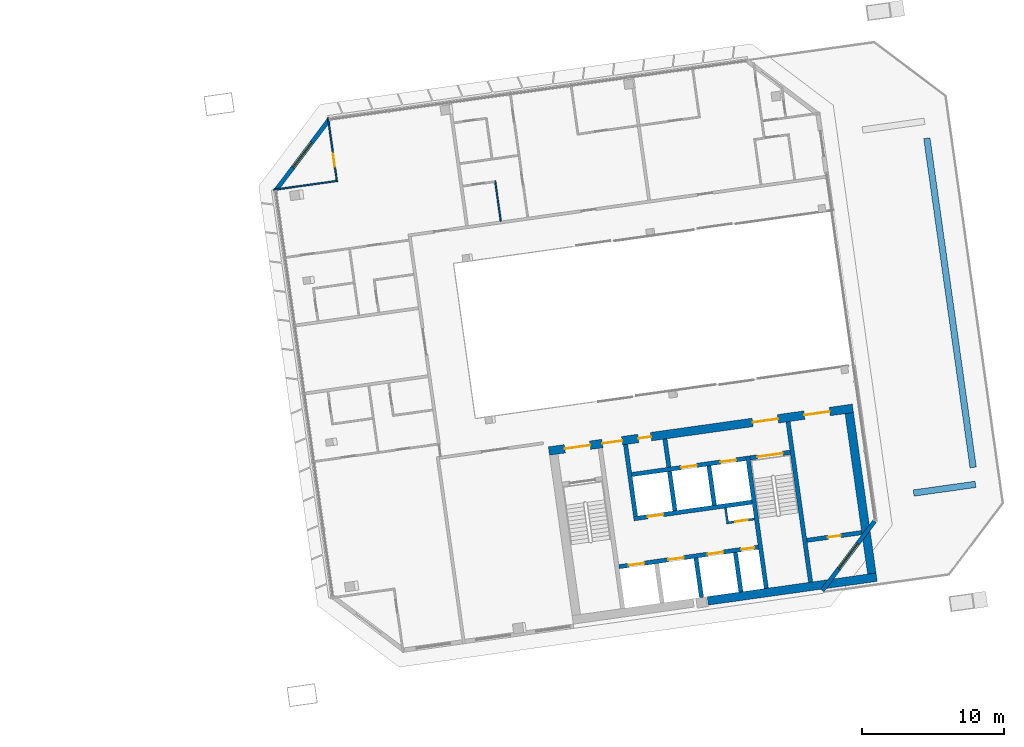
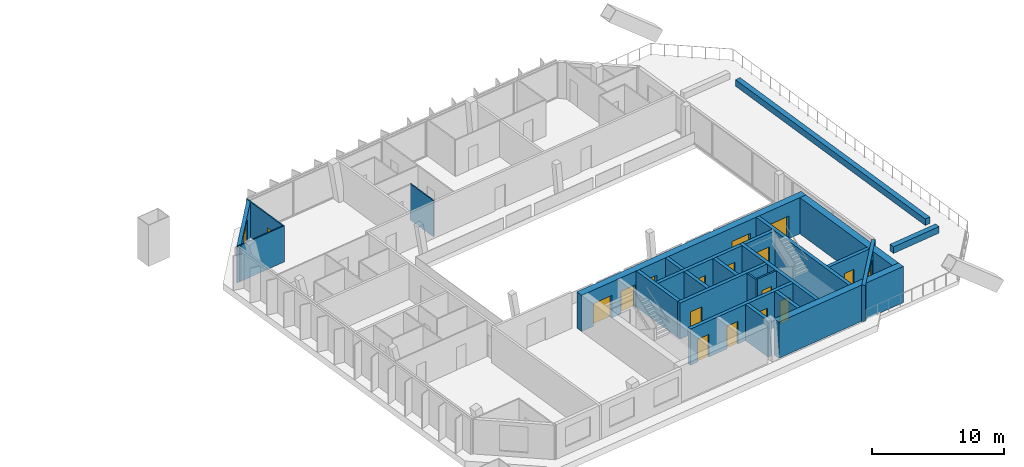
# One storey, part 13 of 17: 25 walls, 16 doors, 2 windows, 18 openings.
"""IFC4 building model written with IfcOpenShell, lengths in metres."""

from ifc_helpers import new_model, si_unit, direction, frame, frame_2d, origin, place, context, subcontext, project, spatial, rectangle, extrude, material, layer, layer_set, type_object, element, fill, save


model = new_model("IFC4")

# Units and contexts
model_context = context("Model", 3, precision=1e-05, world=origin(), true_north=direction((0.0, 1.0)))
body_context = subcontext(model_context, "Body", "Model", "MODEL_VIEW")
ifc_project = project(units=[si_unit("LENGTHUNIT", "METRE"), si_unit("AREAUNIT", "SQUARE_METRE"), si_unit("VOLUMEUNIT", "CUBIC_METRE"), si_unit("PLANEANGLEUNIT", "RADIAN"), si_unit("MASSUNIT", "GRAM", prefix="KILO")], contexts=[model_context])

# Site, building, storey
site_placement = place(None, origin())
site = spatial("IfcSite", under=ifc_project, at=site_placement, CompositionType="ELEMENT")
building_placement = place(site_placement, origin())
building = spatial("IfcBuilding", under=site, at=building_placement, Name="Mirante Cascada Hotel Towers", CompositionType="ELEMENT")
storey_placement = place(building_placement, frame((0.0, 0.0, 250.8)))
storey = spatial("IfcBuildingStorey", under=building, at=storey_placement, Name="L60", CompositionType="ELEMENT", Elevation=250.8)

# Wall
ifc_material_1 = material(Name="Masonry block", Category="masonry")
ifc_layer_1 = layer(ifc_material_1, 0.15)
ifc_layer_set_1 = layer_set([ifc_layer_1], Name="Core room partition 150 block EI 30")
wall_type_1 = type_object("IfcWallType", Name="Core room partition 150 block EI 30", PredefinedType="PARTITIONING", material=ifc_layer_set_1)
wall_1_placement = place(storey_placement, frame((48.2295, -12.793, 0.0), z_axis=(0.0, 0.0, 1.0), x_axis=(-0.1391935, 0.9902652, 0.0)))
element("IfcWall", 1, at=wall_1_placement, inside=storey, type_object=wall_type_1, Name="Core wall partition T2 L60 2", PredefinedType="PARTITIONING", context=body_context, shape_type="SweptSolid", body=[
    extrude(rectangle(XDim=1.1251, YDim=0.15, at=frame_2d((0.5626, 0.0))), origin(), (0.0, 0.0, 1.0), 3.35),
])

# Wall, opening, door
wall_2_placement = place(storey_placement, frame((48.2933, -12.7083, 0.0), z_axis=(0.0, 0.0, 1.0), x_axis=(0.990268, 0.1391734, 0.0)))
wall_2 = element("IfcWall", 2, at=wall_2_placement, inside=storey, type_object=wall_type_1, Name="Core wall partition T2 L60 3", PredefinedType="PARTITIONING", context=body_context, shape_type="SweptSolid", body=[
    extrude(rectangle(XDim=1.8251, YDim=0.15, at=frame_2d((0.9126, 0.0))), origin(), (0.0, 0.0, 1.0), 3.35),
])
opening_1_placement = place(wall_2_placement, frame((0.4625, 0.0, 0.0)))
opening_1 = element("IfcOpeningElement", 3, at=opening_1_placement, cuts=wall_2, Name="Opening D2-60-C14", PredefinedType="OPENING", context=body_context, shape_type="SweptSolid", body=[
    extrude(rectangle(XDim=0.9, YDim=2.1, at=frame_2d((0.45, 1.05))), frame((0.0, 0.075, 0.0), z_axis=(0.0, -1.0, 0.0), x_axis=(1.0, 0.0, 0.0)), (0.0, 0.0, 1.0), 0.15),
])
ifc_material_2 = material(Name="Hollow metal fire door leaf")
door_type_1 = type_object("IfcDoorType", Name="Fire door 900x2100 FD60", OperationType="NOTDEFINED", PredefinedType="DOOR", material=ifc_material_2)
door_1_placement = place(opening_1_placement, frame((0.9, 0.0, 0.0), z_axis=(0.0, 0.0, 1.0), x_axis=(-1.0, 0.0, 0.0)))
door_1 = element("IfcDoor", 4, at=door_1_placement, inside=storey, type_object=door_type_1, Name="Riser door T2 L60 14", OperationType="SINGLE_SWING_LEFT", OverallHeight=2.1, OverallWidth=0.9, PredefinedType="DOOR", context=body_context, shape_type="SweptSolid", body=[
    extrude(rectangle(XDim=0.9, YDim=2.1, at=frame_2d((0.45, 1.05))), frame((0.0, 0.025, 0.0), z_axis=(0.0, -1.0, 0.0), x_axis=(1.0, 0.0, 0.0)), (0.0, 0.0, 1.0), 0.05),
])
fill(opening_1, door_1)

# Wall
ifc_material_3 = material(Name="Masonry block", Category="masonry")
ifc_layer_2 = layer(ifc_material_3, 0.3)
ifc_layer_set_2 = layer_set([ifc_layer_2], Name="Core wall 300 block EI 120")
wall_type_2 = type_object("IfcWallType", Name="Core wall 300 block EI 120", PredefinedType="PARTITIONING", material=ifc_layer_set_2)
wall_3_placement = place(storey_placement, frame((44.0843, -8.8061, 0.0), z_axis=(0.0, 0.0, 1.0), x_axis=(-0.1391951, 0.990265, 0.0)))
element("IfcWall", 5, at=wall_3_placement, inside=storey, type_object=wall_type_2, Name="Core wall partition T2 L60 1", PredefinedType="PARTITIONING", context=body_context, shape_type="SweptSolid", body=[
    extrude(rectangle(XDim=2.0001, YDim=0.3, at=frame_2d((1.0001, 0.0))), origin(), (0.0, 0.0, 1.0), 3.35),
])

# Wall, opening, door
wall_4_placement = place(storey_placement, frame((53.7953, -13.9547, 0.0), z_axis=(0.0, 0.0, 1.0), x_axis=(0.9902675, 0.1391774, 0.0)))
wall_4 = element("IfcWall", 6, at=wall_4_placement, inside=storey, type_object=wall_type_2, Name="Core wall partition T2 L60 4", PredefinedType="PARTITIONING", context=body_context, shape_type="SweptSolid", body=[
    extrude(rectangle(XDim=3.9001, YDim=0.3, at=frame_2d((1.95, 0.0))), origin(), (0.0, 0.0, 1.0), 3.35),
])
opening_2_placement = place(wall_4_placement, frame((1.5, 0.0, 0.0)))
opening_2 = element("IfcOpeningElement", 7, at=opening_2_placement, cuts=wall_4, Name="Opening D2-60-C16", PredefinedType="OPENING", context=body_context, shape_type="SweptSolid", body=[
    extrude(rectangle(XDim=0.9, YDim=2.1, at=frame_2d((0.45, 1.05))), frame((0.0, 0.15, 0.0), z_axis=(0.0, -1.0, 0.0), x_axis=(1.0, 0.0, 0.0)), (0.0, 0.0, 1.0), 0.3),
])
door_2_placement = place(opening_2_placement, frame((0.9, 0.0, 0.0), z_axis=(0.0, 0.0, 1.0), x_axis=(-1.0, 0.0, 0.0)))
door_2 = element("IfcDoor", 8, at=door_2_placement, inside=storey, type_object=door_type_1, Name="Room door T2 L60 16", OperationType="SINGLE_SWING_LEFT", OverallHeight=2.1, OverallWidth=0.9, PredefinedType="DOOR", context=body_context, shape_type="SweptSolid", body=[
    extrude(rectangle(XDim=0.9, YDim=2.1, at=frame_2d((0.45, 1.05))), frame((0.0, 0.025, 0.0), z_axis=(0.0, -1.0, 0.0), x_axis=(1.0, 0.0, 0.0)), (0.0, 0.0, 1.0), 0.05),
])
fill(opening_2, door_2)

# Wall
ifc_material_4 = material(Name="Plasterboard on metal studs")
ifc_layer_3 = layer(ifc_material_4, 0.1)
ifc_layer_set_3 = layer_set([ifc_layer_3], Name="Partition 100")
wall_type_3 = type_object("IfcWallType", Name="Partition 100", PredefinedType="PARTITIONING", material=ifc_layer_set_3)
wall_5_placement = place(storey_placement, frame((20.767, 11.3449, 0.0), z_axis=(0.0, 0.0, 1.0), x_axis=(-0.9902661, -0.1391871, 0.0)))
element("IfcWall", 9, at=wall_5_placement, inside=storey, type_object=wall_type_3, Name="Wall 2-L60-14", PredefinedType="PARTITIONING", context=body_context, shape_type="SweptSolid", body=[
    extrude(rectangle(XDim=4.55, YDim=0.1, at=frame_2d((2.275, 0.0))), origin(), (0.0, 0.0, 1.0), 3.35),
])

# Wall, opening, door
wall_6_placement = place(storey_placement, frame((20.0912, 15.7941, 0.0), z_axis=(0.0, 0.0, 1.0), x_axis=(0.1391684, -0.9902687, 0.0)))
wall_6 = element("IfcWall", 10, at=wall_6_placement, inside=storey, type_object=wall_type_3, Name="Wall 2-L60-22", PredefinedType="PARTITIONING", context=body_context, shape_type="SweptSolid", body=[
    extrude(rectangle(XDim=4.45, YDim=0.1, at=frame_2d((2.225, 0.0))), origin(), (0.0, 0.0, 1.0), 3.35),
])
opening_3_placement = place(wall_6_placement, frame((2.5833, 0.0, 0.0)))
opening_3 = element("IfcOpeningElement", 11, at=opening_3_placement, cuts=wall_6, Name="Opening D2-L60-18", PredefinedType="OPENING", context=body_context, shape_type="SweptSolid", body=[
    extrude(rectangle(XDim=0.9, YDim=2.1, at=frame_2d((0.45, 1.05))), frame((0.0, 0.05, 0.0), z_axis=(0.0, -1.0, 0.0), x_axis=(1.0, 0.0, 0.0)), (0.0, 0.0, 1.0), 0.1),
])
ifc_material_5 = material(Name="Timber door leaf", Category="wood")
door_type_2 = type_object("IfcDoorType", Name="Room door DG3 900x2100", OperationType="SINGLE_SWING_LEFT", PredefinedType="DOOR", material=ifc_material_5)
door_3_placement = place(opening_3_placement, origin())
door_3 = element("IfcDoor", 12, at=door_3_placement, inside=storey, type_object=door_type_2, Name="Door D2-L60-18", OperationType="SINGLE_SWING_LEFT", OverallHeight=2.1, OverallWidth=0.9, PredefinedType="DOOR", context=body_context, shape_type="SweptSolid", body=[
    extrude(rectangle(XDim=0.9, YDim=2.1, at=frame_2d((0.45, 1.05))), frame((0.0, 0.025, 0.0), z_axis=(0.0, -1.0, 0.0), x_axis=(1.0, 0.0, 0.0)), (0.0, 0.0, 1.0), 0.05),
])
fill(opening_3, door_3)

# Walls
wall_7_placement = place(storey_placement, frame((31.8561, 11.3381, 0.0), z_axis=(0.0, 0.0, 1.0), x_axis=(0.1391613, -0.9902697, 0.0)))
element("IfcWall", 13, at=wall_7_placement, inside=storey, type_object=wall_type_3, Name="Wall 2-L60-30", PredefinedType="PARTITIONING", context=body_context, shape_type="SweptSolid", body=[
    extrude(rectangle(XDim=2.8499, YDim=0.1, at=frame_2d((1.425, 0.0))), origin(), (0.0, 0.0, 1.0), 3.35),
])
ifc_material_6 = material(Name="Precast concrete C40/50", Category="concrete")
ifc_layer_4 = layer(ifc_material_6, 0.45)
ifc_layer_set_4 = layer_set([ifc_layer_4], Name="Planter wall 450 concrete C40/50")
wall_type_4 = type_object("IfcWallType", Name="Planter wall 450 concrete C40/50", PredefinedType="PARAPET", material=ifc_layer_set_4)
wall_8_placement = place(storey_placement, frame((61.3053, -10.6271, 0.0), z_axis=(0.0, 0.0, 1.0), x_axis=(0.990267, 0.139181, 0.0)))
element("IfcWall", 14, at=wall_8_placement, inside=storey, type_object=wall_type_4, Name="PLANTER T2 L60 bed 1", PredefinedType="PARAPET", context=body_context, shape_type="SweptSolid", body=[
    extrude(rectangle(XDim=4.4, YDim=0.45, at=frame_2d((2.2, 0.0))), origin(), (0.0, 0.0, 1.0), 0.6),
])
wall_9_placement = place(storey_placement, frame((65.4955, -8.8264, 0.0), z_axis=(0.0, 0.0, 1.0), x_axis=(-0.139175, 0.9902678, 0.0)))
element("IfcWall", 15, at=wall_9_placement, inside=storey, type_object=wall_type_4, Name="PLANTER T2 L60 bed 3", PredefinedType="PARAPET", context=body_context, shape_type="SweptSolid", body=[
    extrude(rectangle(XDim=23.4, YDim=0.45, at=frame_2d((11.7, 0.0))), origin(), (0.0, 0.0, 1.0), 0.6),
])

# Wall, opening, window
ifc_material_7 = material(Name="Precast concrete C40/50", Category="concrete")
ifc_layer_5 = layer(ifc_material_7, 0.3)
ifc_layer_set_5 = layer_set([ifc_layer_5], Name="Precast concrete C40/50 cladding wall 300")
wall_type_5 = type_object("IfcWallType", Name="Precast concrete C40/50 cladding wall 300", PredefinedType="STANDARD", material=ifc_layer_set_5)
wall_10_placement = place(storey_placement, frame((54.8802, -17.4943, 0.0), z_axis=(0.0, 0.0, 1.0), x_axis=(0.6018141, 0.7986362, 0.0)))
wall_10 = element("IfcWall", 16, at=wall_10_placement, inside=storey, type_object=wall_type_5, Name="Corner cladding wall T2 L60 rear outer", PredefinedType="STANDARD", context=body_context, shape_type="SweptSolid", body=[
    extrude(rectangle(XDim=6.1157, YDim=0.3, at=frame_2d((3.0578, 0.0))), origin(), (0.0, 0.0, 1.0), 3.35),
])
opening_4_placement = place(wall_10_placement, frame((1.9428, 0.0, 0.6)))
opening_4 = element("IfcOpeningElement", 17, at=opening_4_placement, cuts=wall_10, Name="Opening W2-60-04", PredefinedType="OPENING", context=body_context, shape_type="SweptSolid", body=[
    extrude(rectangle(XDim=2.2, YDim=2.4, at=frame_2d((1.1, 1.2))), frame((0.0, 0.15, 0.0), z_axis=(0.0, -1.0, 0.0), x_axis=(1.0, 0.0, 0.0)), (0.0, 0.0, 1.0), 0.3),
])
ifc_material_8 = material(Name="Aluminium frame with clear double glazing", Category="aluminium")
window_type = type_object("IfcWindowType", Name="Corner suite window 2200x2400", PartitioningType="DOUBLE_PANEL_VERTICAL", PredefinedType="WINDOW", material=ifc_material_8)
window_1_placement = place(opening_4_placement, origin())
window_1 = element("IfcWindow", 18, at=window_1_placement, inside=storey, type_object=window_type, Name="Window W2-60-04", OverallHeight=2.4, OverallWidth=2.2, PartitioningType="SINGLE_PANEL", PredefinedType="WINDOW", context=body_context, shape_type="SweptSolid", body=[
    extrude(rectangle(XDim=2.2, YDim=2.4, at=frame_2d((1.1, 1.2))), frame((0.0, 0.03, 0.0), z_axis=(0.0, -1.0, 0.0), x_axis=(1.0, 0.0, 0.0)), (0.0, 0.0, 1.0), 0.06),
])
fill(opening_4, window_1)

wall_11_placement = place(storey_placement, frame((20.1362, 15.6047, 0.0), z_axis=(0.0, 0.0, 1.0), x_axis=(-0.6018141, -0.7986362, 0.0)))
wall_11 = element("IfcWall", 19, at=wall_11_placement, inside=storey, type_object=wall_type_5, Name="Corner cladding wall T2 L60 front inner", PredefinedType="STANDARD", context=body_context, shape_type="SweptSolid", body=[
    extrude(rectangle(XDim=6.1157, YDim=0.3, at=frame_2d((3.0578, 0.0))), origin(), (0.0, 0.0, 1.0), 3.35),
])
opening_5_placement = place(wall_11_placement, frame((1.9578, 0.0, 0.6)))
opening_5 = element("IfcOpeningElement", 20, at=opening_5_placement, cuts=wall_11, Name="Opening W2-60-06", PredefinedType="OPENING", context=body_context, shape_type="SweptSolid", body=[
    extrude(rectangle(XDim=2.2, YDim=2.4, at=frame_2d((1.1, 1.2))), frame((0.0, 0.15, 0.0), z_axis=(0.0, -1.0, 0.0), x_axis=(1.0, 0.0, 0.0)), (0.0, 0.0, 1.0), 0.3),
])
window_2_placement = place(opening_5_placement, origin())
window_2 = element("IfcWindow", 21, at=window_2_placement, inside=storey, type_object=window_type, Name="Window W2-60-06", OverallHeight=2.4, OverallWidth=2.2, PartitioningType="SINGLE_PANEL", PredefinedType="WINDOW", context=body_context, shape_type="SweptSolid", body=[
    extrude(rectangle(XDim=2.2, YDim=2.4, at=frame_2d((1.1, 1.2))), frame((0.0, 0.03, 0.0), z_axis=(0.0, -1.0, 0.0), x_axis=(1.0, 0.0, 0.0)), (0.0, 0.0, 1.0), 0.06),
])
fill(opening_5, window_2)

# Walls
ifc_material_9 = material(Name="Concrete C50/60", Category="concrete")
ifc_layer_6 = layer(ifc_material_9, 0.3)
ifc_layer_set_6 = layer_set([ifc_layer_6], Name="RC core wall 300 C50/60")
wall_type_6 = type_object("IfcWallType", Name="RC core wall 300 C50/60", PredefinedType="SHEAR", material=ifc_layer_set_6)
wall_12_placement = place(storey_placement, frame((50.938, -17.3352, 0.0), z_axis=(0.0, 0.0, 1.0), x_axis=(-0.1391706, 0.9902684, 0.0)))
element("IfcWall", 22, at=wall_12_placement, inside=storey, type_object=wall_type_6, Name="Core wall T2:L60:6", PredefinedType="SHEAR", context=body_context, shape_type="SweptSolid", body=[
    extrude(rectangle(XDim=9.4, YDim=0.3, at=frame_2d((4.7, 0.0))), origin(), (0.0, 0.0, 1.0), 3.35),
])
wall_13_placement = place(storey_placement, frame((54.0574, -16.8968, 0.0), z_axis=(0.0, 0.0, 1.0), x_axis=(-0.1391761, 0.9902677, 0.0)))
element("IfcWall", 23, at=wall_13_placement, inside=storey, type_object=wall_type_6, Name="Core wall T2:L60:7", PredefinedType="SHEAR", context=body_context, shape_type="SweptSolid", body=[
    extrude(rectangle(XDim=11.3999, YDim=0.3, at=frame_2d((5.7, 0.0))), origin(), (0.0, 0.0, 1.0), 3.35),
])

# Wall, opening, door
wall_14_placement = place(storey_placement, frame((49.7992, -8.1544, 0.0), z_axis=(0.0, 0.0, 1.0), x_axis=(0.9902656, 0.1391909, 0.0)))
wall_14 = element("IfcWall", 24, at=wall_14_placement, inside=storey, type_object=wall_type_6, Name="Core wall T2:L60:9", PredefinedType="SHEAR", context=body_context, shape_type="SweptSolid", body=[
    extrude(rectangle(XDim=2.85, YDim=0.3, at=frame_2d((1.425, 0.0))), origin(), (0.0, 0.0, 1.0), 3.35),
])
opening_6_placement = place(wall_14_placement, frame((0.525, 0.0, 0.0)))
opening_6 = element("IfcOpeningElement", 25, at=opening_6_placement, cuts=wall_14, Name="Opening D2-60-C09", PredefinedType="OPENING", context=body_context, shape_type="SweptSolid", body=[
    extrude(rectangle(XDim=1.8, YDim=2.1, at=frame_2d((0.9, 1.05))), frame((0.0, 0.15, 0.0), z_axis=(0.0, -1.0, 0.0), x_axis=(1.0, 0.0, 0.0)), (0.0, 0.0, 1.0), 0.3),
])
ifc_material_10 = material(Name="Hollow metal fire door leaf")
door_type_3 = type_object("IfcDoorType", Name="Double fire door 1800x2100 FD60", OperationType="DOUBLE_DOOR_SINGLE_SWING", PredefinedType="DOOR", material=ifc_material_10)
door_4_placement = place(opening_6_placement, frame((1.8, 0.0, 0.0), z_axis=(0.0, 0.0, 1.0), x_axis=(-1.0, 0.0, 0.0)))
door_4 = element("IfcDoor", 26, at=door_4_placement, inside=storey, type_object=door_type_3, Name="Stair door T2 L60 9", OperationType="DOUBLE_DOOR_SINGLE_SWING", OverallHeight=2.1, OverallWidth=1.8, PredefinedType="DOOR", context=body_context, shape_type="SweptSolid", body=[
    extrude(rectangle(XDim=0.895, YDim=2.1, at=frame_2d((0.4475, 1.05))), frame((0.0, 0.025, 0.0), z_axis=(0.0, -1.0, 0.0), x_axis=(1.0, 0.0, 0.0)), (0.0, 0.0, 1.0), 0.05),
    extrude(rectangle(XDim=0.895, YDim=2.1, at=frame_2d((1.3525, 1.05))), frame((0.0, 0.025, 0.0), z_axis=(0.0, -1.0, 0.0), x_axis=(1.0, 0.0, 0.0)), (0.0, 0.0, 1.0), 0.05),
])
fill(opening_6, door_4)

# Wall, openings, doors
wall_15_placement = place(storey_placement, frame((40.5753, -15.8126, 0.0), z_axis=(0.0, 0.0, 1.0), x_axis=(0.9902682, 0.1391725, 0.0)))
wall_15 = element("IfcWall", 27, at=wall_15_placement, inside=storey, type_object=wall_type_6, Name="Core wall T2:L60:10", PredefinedType="SHEAR", context=body_context, shape_type="SweptSolid", body=[
    extrude(rectangle(XDim=9.8999, YDim=0.3, at=frame_2d((4.95, 0.0))), origin(), (0.0, 0.0, 1.0), 3.35),
])
opening_7_placement = place(wall_15_placement, frame((0.7, 0.0, 0.0)))
opening_7 = element("IfcOpeningElement", 28, at=opening_7_placement, cuts=wall_15, Name="Opening LD", PredefinedType="OPENING", context=body_context, shape_type="SweptSolid", body=[
    extrude(rectangle(XDim=1.1, YDim=2.1, at=frame_2d((0.55, 1.05))), frame((0.0, 0.15, 0.0), z_axis=(0.0, -1.0, 0.0), x_axis=(1.0, 0.0, 0.0)), (0.0, 0.0, 1.0), 0.3),
])
opening_8_placement = place(wall_15_placement, frame((3.5, 0.0, 0.0)))
opening_8 = element("IfcOpeningElement", 29, at=opening_8_placement, cuts=wall_15, Name="Opening LD", PredefinedType="OPENING", context=body_context, shape_type="SweptSolid", body=[
    extrude(rectangle(XDim=1.1, YDim=2.1, at=frame_2d((0.55, 1.05))), frame((0.0, 0.15, 0.0), z_axis=(0.0, -1.0, 0.0), x_axis=(1.0, 0.0, 0.0)), (0.0, 0.0, 1.0), 0.3),
])
opening_9_placement = place(wall_15_placement, frame((6.3, 0.0, 0.0)))
opening_9 = element("IfcOpeningElement", 30, at=opening_9_placement, cuts=wall_15, Name="Opening LD", PredefinedType="OPENING", context=body_context, shape_type="SweptSolid", body=[
    extrude(rectangle(XDim=1.1, YDim=2.1, at=frame_2d((0.55, 1.05))), frame((0.0, 0.15, 0.0), z_axis=(0.0, -1.0, 0.0), x_axis=(1.0, 0.0, 0.0)), (0.0, 0.0, 1.0), 0.3),
])
opening_10_placement = place(wall_15_placement, frame((8.7, 0.0, 0.0)))
opening_10 = element("IfcOpeningElement", 31, at=opening_10_placement, cuts=wall_15, Name="Opening D2-60-C13", PredefinedType="OPENING", context=body_context, shape_type="SweptSolid", body=[
    extrude(rectangle(XDim=0.9, YDim=2.1, at=frame_2d((0.45, 1.05))), frame((0.0, 0.15, 0.0), z_axis=(0.0, -1.0, 0.0), x_axis=(1.0, 0.0, 0.0)), (0.0, 0.0, 1.0), 0.3),
])
door_5_placement = place(opening_10_placement, frame((0.9, 0.0, 0.0), z_axis=(0.0, 0.0, 1.0), x_axis=(-1.0, 0.0, 0.0)))
door_5 = element("IfcDoor", 32, at=door_5_placement, inside=storey, type_object=door_type_1, Name="Riser door T2 L60 13", OperationType="SINGLE_SWING_RIGHT", OverallHeight=2.1, OverallWidth=0.9, PredefinedType="DOOR", context=body_context, shape_type="SweptSolid", body=[
    extrude(rectangle(XDim=0.9, YDim=2.1, at=frame_2d((0.45, 1.05))), frame((0.0, 0.025, 0.0), z_axis=(0.0, -1.0, 0.0), x_axis=(1.0, 0.0, 0.0)), (0.0, 0.0, 1.0), 0.05),
])
fill(opening_10, door_5)
ifc_material_11 = material(Name="Stainless steel", Category="steel")
door_type_4 = type_object("IfcDoorType", Name="Lift landing door 1100x2100 EI 120", OperationType="DOUBLE_DOOR_SLIDING", PredefinedType="DOOR", material=ifc_material_11)
door_6_placement = place(opening_7_placement, origin())
door_6 = element("IfcDoor", 33, at=door_6_placement, inside=storey, type_object=door_type_4, Name="Lift landing door HR2-1 L60", OperationType="DOUBLE_DOOR_SLIDING", OverallHeight=2.1, OverallWidth=1.1, PredefinedType="DOOR", context=body_context, shape_type="SweptSolid", body=[
    extrude(rectangle(XDim=0.545, YDim=2.1, at=frame_2d((0.2725, 1.05))), frame((0.0, 0.025, 0.0), z_axis=(0.0, -1.0, 0.0), x_axis=(1.0, 0.0, 0.0)), (0.0, 0.0, 1.0), 0.05),
    extrude(rectangle(XDim=0.545, YDim=2.1, at=frame_2d((0.8275, 1.05))), frame((0.0, 0.025, 0.0), z_axis=(0.0, -1.0, 0.0), x_axis=(1.0, 0.0, 0.0)), (0.0, 0.0, 1.0), 0.05),
])
fill(opening_7, door_6)
door_7_placement = place(opening_8_placement, origin())
door_7 = element("IfcDoor", 34, at=door_7_placement, inside=storey, type_object=door_type_4, Name="Lift landing door HR2-2 L60", OperationType="DOUBLE_DOOR_SLIDING", OverallHeight=2.1, OverallWidth=1.1, PredefinedType="DOOR", context=body_context, shape_type="SweptSolid", body=[
    extrude(rectangle(XDim=0.545, YDim=2.1, at=frame_2d((0.2725, 1.05))), frame((0.0, 0.025, 0.0), z_axis=(0.0, -1.0, 0.0), x_axis=(1.0, 0.0, 0.0)), (0.0, 0.0, 1.0), 0.05),
    extrude(rectangle(XDim=0.545, YDim=2.1, at=frame_2d((0.8275, 1.05))), frame((0.0, 0.025, 0.0), z_axis=(0.0, -1.0, 0.0), x_axis=(1.0, 0.0, 0.0)), (0.0, 0.0, 1.0), 0.05),
])
fill(opening_8, door_7)
door_8_placement = place(opening_9_placement, origin())
door_8 = element("IfcDoor", 35, at=door_8_placement, inside=storey, type_object=door_type_4, Name="Lift landing door HR2-3 L60", OperationType="DOUBLE_DOOR_SLIDING", OverallHeight=2.1, OverallWidth=1.1, PredefinedType="DOOR", context=body_context, shape_type="SweptSolid", body=[
    extrude(rectangle(XDim=0.545, YDim=2.1, at=frame_2d((0.2725, 1.05))), frame((0.0, 0.025, 0.0), z_axis=(0.0, -1.0, 0.0), x_axis=(1.0, 0.0, 0.0)), (0.0, 0.0, 1.0), 0.05),
    extrude(rectangle(XDim=0.545, YDim=2.1, at=frame_2d((0.8275, 1.05))), frame((0.0, 0.025, 0.0), z_axis=(0.0, -1.0, 0.0), x_axis=(1.0, 0.0, 0.0)), (0.0, 0.0, 1.0), 0.05),
])
fill(opening_9, door_8)

# Wall, opening, door
wall_16_placement = place(storey_placement, frame((41.6153, -12.435, 0.0), z_axis=(0.0, 0.0, 1.0), x_axis=(0.9902691, 0.139166, 0.0)))
wall_16 = element("IfcWall", 36, at=wall_16_placement, inside=storey, type_object=wall_type_6, Name="Core wall T2:L60:11", PredefinedType="SHEAR", context=body_context, shape_type="SweptSolid", body=[
    extrude(rectangle(XDim=8.4, YDim=0.3, at=frame_2d((4.2, 0.0))), origin(), (0.0, 0.0, 1.0), 3.35),
])
opening_11_placement = place(wall_16_placement, frame((1.0, 0.0, 0.0)))
opening_11 = element("IfcOpeningElement", 37, at=opening_11_placement, cuts=wall_16, Name="Opening LD", PredefinedType="OPENING", context=body_context, shape_type="SweptSolid", body=[
    extrude(rectangle(XDim=1.1, YDim=2.1, at=frame_2d((0.55, 1.05))), frame((0.0, 0.15, 0.0), z_axis=(0.0, -1.0, 0.0), x_axis=(1.0, 0.0, 0.0)), (0.0, 0.0, 1.0), 0.3),
])
door_9_placement = place(opening_11_placement, origin())
door_9 = element("IfcDoor", 38, at=door_9_placement, inside=storey, type_object=door_type_4, Name="Lift landing door HR2-4 L60", OperationType="DOUBLE_DOOR_SLIDING", OverallHeight=2.1, OverallWidth=1.1, PredefinedType="DOOR", context=body_context, shape_type="SweptSolid", body=[
    extrude(rectangle(XDim=0.545, YDim=2.1, at=frame_2d((0.2725, 1.05))), frame((0.0, 0.025, 0.0), z_axis=(0.0, -1.0, 0.0), x_axis=(1.0, 0.0, 0.0)), (0.0, 0.0, 1.0), 0.05),
    extrude(rectangle(XDim=0.545, YDim=2.1, at=frame_2d((0.8275, 1.05))), frame((0.0, 0.025, 0.0), z_axis=(0.0, -1.0, 0.0), x_axis=(1.0, 0.0, 0.0)), (0.0, 0.0, 1.0), 0.05),
])
fill(opening_11, door_9)

# Wall, openings, doors
wall_17_placement = place(storey_placement, frame((41.481, -9.3234, 0.0), z_axis=(0.0, 0.0, 1.0), x_axis=(0.9902679, 0.1391741, 0.0)))
wall_17 = element("IfcWall", 39, at=wall_17_placement, inside=storey, type_object=wall_type_6, Name="Core wall T2:L60:12", PredefinedType="SHEAR", context=body_context, shape_type="SweptSolid", body=[
    extrude(rectangle(XDim=8.0999, YDim=0.3, at=frame_2d((4.05, 0.0))), origin(), (0.0, 0.0, 1.0), 3.35),
])
opening_12_placement = place(wall_17_placement, frame((3.5, 0.0, 0.0)))
opening_12 = element("IfcOpeningElement", 40, at=opening_12_placement, cuts=wall_17, Name="Opening LD", PredefinedType="OPENING", context=body_context, shape_type="SweptSolid", body=[
    extrude(rectangle(XDim=1.1, YDim=2.1, at=frame_2d((0.55, 1.05))), frame((0.0, 0.15, 0.0), z_axis=(0.0, -1.0, 0.0), x_axis=(1.0, 0.0, 0.0)), (0.0, 0.0, 1.0), 0.3),
])
opening_13_placement = place(wall_17_placement, frame((6.3, 0.0, 0.0)))
opening_13 = element("IfcOpeningElement", 41, at=opening_13_placement, cuts=wall_17, Name="Opening LD", PredefinedType="OPENING", context=body_context, shape_type="SweptSolid", body=[
    extrude(rectangle(XDim=1.1, YDim=2.1, at=frame_2d((0.55, 1.05))), frame((0.0, 0.15, 0.0), z_axis=(0.0, -1.0, 0.0), x_axis=(1.0, 0.0, 0.0)), (0.0, 0.0, 1.0), 0.3),
])
door_10_placement = place(opening_12_placement, origin())
door_10 = element("IfcDoor", 42, at=door_10_placement, inside=storey, type_object=door_type_4, Name="Lift landing door FF3 L60", OperationType="DOUBLE_DOOR_SLIDING", OverallHeight=2.1, OverallWidth=1.1, PredefinedType="DOOR", context=body_context, shape_type="SweptSolid", body=[
    extrude(rectangle(XDim=0.545, YDim=2.1, at=frame_2d((0.2725, 1.05))), frame((0.0, 0.025, 0.0), z_axis=(0.0, -1.0, 0.0), x_axis=(1.0, 0.0, 0.0)), (0.0, 0.0, 1.0), 0.05),
    extrude(rectangle(XDim=0.545, YDim=2.1, at=frame_2d((0.8275, 1.05))), frame((0.0, 0.025, 0.0), z_axis=(0.0, -1.0, 0.0), x_axis=(1.0, 0.0, 0.0)), (0.0, 0.0, 1.0), 0.05),
])
fill(opening_12, door_10)
door_11_placement = place(opening_13_placement, origin())
door_11 = element("IfcDoor", 43, at=door_11_placement, inside=storey, type_object=door_type_4, Name="Lift landing door FF4 L60", OperationType="DOUBLE_DOOR_SLIDING", OverallHeight=2.1, OverallWidth=1.1, PredefinedType="DOOR", context=body_context, shape_type="SweptSolid", body=[
    extrude(rectangle(XDim=0.545, YDim=2.1, at=frame_2d((0.2725, 1.05))), frame((0.0, 0.025, 0.0), z_axis=(0.0, -1.0, 0.0), x_axis=(1.0, 0.0, 0.0)), (0.0, 0.0, 1.0), 0.05),
    extrude(rectangle(XDim=0.545, YDim=2.1, at=frame_2d((0.8275, 1.05))), frame((0.0, 0.025, 0.0), z_axis=(0.0, -1.0, 0.0), x_axis=(1.0, 0.0, 0.0)), (0.0, 0.0, 1.0), 0.05),
])
fill(opening_13, door_11)

# Walls
wall_18_placement = place(storey_placement, frame((46.3828, -17.9754, 0.0), z_axis=(0.0, 0.0, 1.0), x_axis=(-0.139181, 0.990267, 0.0)))
element("IfcWall", 44, at=wall_18_placement, inside=storey, type_object=wall_type_6, Name="Core wall T2:L60:14", PredefinedType="SHEAR", context=body_context, shape_type="SweptSolid", body=[
    extrude(rectangle(XDim=2.8, YDim=0.3, at=frame_2d((1.4, 0.0))), origin(), (0.0, 0.0, 1.0), 3.35),
])
wall_19_placement = place(storey_placement, frame((49.1555, -17.5857, 0.0), z_axis=(0.0, 0.0, 1.0), x_axis=(-0.1391459, 0.9902719, 0.0)))
element("IfcWall", 45, at=wall_19_placement, inside=storey, type_object=wall_type_6, Name="Core wall T2:L60:15", PredefinedType="SHEAR", context=body_context, shape_type="SweptSolid", body=[
    extrude(rectangle(XDim=2.7999, YDim=0.3, at=frame_2d((1.4, 0.0))), origin(), (0.0, 0.0, 1.0), 3.35),
])
for number, where, z_axis, x_axis, name in (
    (46, (44.5157, -11.8759, 0.0), (0.0, 0.0, 1.0), (-0.139181, 0.990267, 0.0), "Core wall T2:L60:16"),
    (47, (47.2885, -11.4862, 0.0), (0.0, 0.0, 1.0), (-0.139181, 0.990267, 0.0), "Core wall T2:L60:17"),
):
    element("IfcWall", number, at=place(storey_placement, frame(where, z_axis=z_axis, x_axis=x_axis)), inside=storey, type_object=wall_type_6, Name=name, PredefinedType="SHEAR", context=body_context, shape_type="SweptSolid", body=[
        extrude(rectangle(XDim=2.8, YDim=0.3, at=frame_2d((1.4, 0.0))), origin(), (0.0, 0.0, 1.0), 3.35),
    ])
wall_20_placement = place(storey_placement, frame((41.743, -12.2656, 0.0), z_axis=(0.0, 0.0, 1.0), x_axis=(-0.1391755, 0.9902677, 0.0)))
element("IfcWall", 48, at=wall_20_placement, inside=storey, type_object=wall_type_6, Name="Core wall T2:L60:18", PredefinedType="SHEAR", context=body_context, shape_type="SweptSolid", body=[
    extrude(rectangle(XDim=5.1, YDim=0.3, at=frame_2d((2.55, 0.0))), origin(), (0.0, 0.0, 1.0), 3.35),
])
ifc_material_12 = material(Name="Concrete C50/60", Category="concrete")
ifc_layer_7 = layer(ifc_material_12, 0.6)
ifc_layer_set_7 = layer_set([ifc_layer_7], Name="RC core wall 600 C50/60")
wall_type_7 = type_object("IfcWallType", Name="RC core wall 600 C50/60", PredefinedType="SHEAR", material=ifc_layer_set_7)
wall_21_placement = place(storey_placement, frame((46.8253, -18.2162, 0.0), z_axis=(0.0, 0.0, 1.0), x_axis=(0.9902684, 0.1391708, 0.0)))
element("IfcWall", 49, at=wall_21_placement, inside=storey, type_object=wall_type_7, Name="Core wall T2:L60:1.2", PredefinedType="SHEAR", context=body_context, shape_type="SweptSolid", body=[
    extrude(rectangle(XDim=11.9953, YDim=0.6, at=frame_2d((5.9976, 0.0))), origin(), (0.0, 0.0, 1.0), 3.35),
])

# Wall, openings, doors
wall_22_placement = place(storey_placement, frame((35.644, -7.6697, 0.0), z_axis=(0.0, 0.0, 1.0), x_axis=(0.9902677, 0.1391758, 0.0)))
wall_22 = element("IfcWall", 50, at=wall_22_placement, inside=storey, type_object=wall_type_7, Name="Core wall T2:L60:2", PredefinedType="SHEAR", context=body_context, shape_type="SweptSolid", body=[
    extrude(rectangle(XDim=21.6, YDim=0.6, at=frame_2d((10.8, 0.0))), origin(), (0.0, 0.0, 1.0), 3.35),
])
opening_14_placement = place(wall_22_placement, frame((1.125, 0.0, 0.0)))
opening_14 = element("IfcOpeningElement", 51, at=opening_14_placement, cuts=wall_22, Name="Opening D2-60-C08", PredefinedType="OPENING", context=body_context, shape_type="SweptSolid", body=[
    extrude(rectangle(XDim=1.8, YDim=2.1, at=frame_2d((0.9, 1.05))), frame((0.0, 0.3, 0.0), z_axis=(0.0, -1.0, 0.0), x_axis=(1.0, 0.0, 0.0)), (0.0, 0.0, 1.0), 0.6),
])
opening_15_placement = place(wall_22_placement, frame((14.475, 0.0, 0.0)))
opening_15 = element("IfcOpeningElement", 52, at=opening_15_placement, cuts=wall_22, Name="Opening D2-60-C10", PredefinedType="OPENING", context=body_context, shape_type="SweptSolid", body=[
    extrude(rectangle(XDim=1.8, YDim=2.1, at=frame_2d((0.9, 1.05))), frame((0.0, 0.3, 0.0), z_axis=(0.0, -1.0, 0.0), x_axis=(1.0, 0.0, 0.0)), (0.0, 0.0, 1.0), 0.6),
])
opening_16_placement = place(wall_22_placement, frame((3.8, 0.0, 0.0)))
opening_16 = element("IfcOpeningElement", 53, at=opening_16_placement, cuts=wall_22, Name="Opening D2-60-C11", PredefinedType="OPENING", context=body_context, shape_type="SweptSolid", body=[
    extrude(rectangle(XDim=1.4, YDim=2.1, at=frame_2d((0.7, 1.05))), frame((0.0, 0.3, 0.0), z_axis=(0.0, -1.0, 0.0), x_axis=(1.0, 0.0, 0.0)), (0.0, 0.0, 1.0), 0.6),
])
opening_17_placement = place(wall_22_placement, frame((18.15, 0.0, 0.0)))
opening_17 = element("IfcOpeningElement", 54, at=opening_17_placement, cuts=wall_22, Name="Opening D2-60-C12", PredefinedType="OPENING", context=body_context, shape_type="SweptSolid", body=[
    extrude(rectangle(XDim=1.8, YDim=2.1, at=frame_2d((0.9, 1.05))), frame((0.0, 0.3, 0.0), z_axis=(0.0, -1.0, 0.0), x_axis=(1.0, 0.0, 0.0)), (0.0, 0.0, 1.0), 0.6),
])
opening_18_placement = place(wall_22_placement, frame((6.35, 0.0, 0.0)))
opening_18 = element("IfcOpeningElement", 55, at=opening_18_placement, cuts=wall_22, Name="Opening D2-60-C15", PredefinedType="OPENING", context=body_context, shape_type="SweptSolid", body=[
    extrude(rectangle(XDim=0.9, YDim=2.1, at=frame_2d((0.45, 1.05))), frame((0.0, 0.3, 0.0), z_axis=(0.0, -1.0, 0.0), x_axis=(1.0, 0.0, 0.0)), (0.0, 0.0, 1.0), 0.6),
])
ifc_material_13 = material(Name="Hollow metal fire door leaf")
door_type_5 = type_object("IfcDoorType", Name="Double fire door 1400x2100 FD60", OperationType="DOUBLE_DOOR_SINGLE_SWING", PredefinedType="DOOR", material=ifc_material_13)
door_12_placement = place(opening_16_placement, origin())
door_12 = element("IfcDoor", 56, at=door_12_placement, inside=storey, type_object=door_type_5, Name="Exit door to gallery T2 L60 11", OperationType="DOUBLE_DOOR_SINGLE_SWING", OverallHeight=2.1, OverallWidth=1.4, PredefinedType="DOOR", context=body_context, shape_type="SweptSolid", body=[
    extrude(rectangle(XDim=0.695, YDim=2.1, at=frame_2d((0.3475, 1.05))), frame((0.0, 0.025, 0.0), z_axis=(0.0, -1.0, 0.0), x_axis=(1.0, 0.0, 0.0)), (0.0, 0.0, 1.0), 0.05),
    extrude(rectangle(XDim=0.695, YDim=2.1, at=frame_2d((1.0525, 1.05))), frame((0.0, 0.025, 0.0), z_axis=(0.0, -1.0, 0.0), x_axis=(1.0, 0.0, 0.0)), (0.0, 0.0, 1.0), 0.05),
])
fill(opening_16, door_12)
door_13_placement = place(opening_14_placement, frame((1.8, 0.0, 0.0), z_axis=(0.0, 0.0, 1.0), x_axis=(-1.0, 0.0, 0.0)))
door_13 = element("IfcDoor", 57, at=door_13_placement, inside=storey, type_object=door_type_3, Name="Exit door to gallery T2 L60 8", OperationType="DOUBLE_DOOR_SINGLE_SWING", OverallHeight=2.1, OverallWidth=1.8, PredefinedType="DOOR", context=body_context, shape_type="SweptSolid", body=[
    extrude(rectangle(XDim=0.895, YDim=2.1, at=frame_2d((0.4475, 1.05))), frame((0.0, 0.025, 0.0), z_axis=(0.0, -1.0, 0.0), x_axis=(1.0, 0.0, 0.0)), (0.0, 0.0, 1.0), 0.05),
    extrude(rectangle(XDim=0.895, YDim=2.1, at=frame_2d((1.3525, 1.05))), frame((0.0, 0.025, 0.0), z_axis=(0.0, -1.0, 0.0), x_axis=(1.0, 0.0, 0.0)), (0.0, 0.0, 1.0), 0.05),
])
fill(opening_14, door_13)
door_14_placement = place(opening_15_placement, frame((1.8, 0.0, 0.0), z_axis=(0.0, 0.0, 1.0), x_axis=(-1.0, 0.0, 0.0)))
door_14 = element("IfcDoor", 58, at=door_14_placement, inside=storey, type_object=door_type_3, Name="Exit door to gallery T2 L60 10", OperationType="DOUBLE_DOOR_SINGLE_SWING", OverallHeight=2.1, OverallWidth=1.8, PredefinedType="DOOR", context=body_context, shape_type="SweptSolid", body=[
    extrude(rectangle(XDim=0.895, YDim=2.1, at=frame_2d((0.4475, 1.05))), frame((0.0, 0.025, 0.0), z_axis=(0.0, -1.0, 0.0), x_axis=(1.0, 0.0, 0.0)), (0.0, 0.0, 1.0), 0.05),
    extrude(rectangle(XDim=0.895, YDim=2.1, at=frame_2d((1.3525, 1.05))), frame((0.0, 0.025, 0.0), z_axis=(0.0, -1.0, 0.0), x_axis=(1.0, 0.0, 0.0)), (0.0, 0.0, 1.0), 0.05),
])
fill(opening_15, door_14)
door_15_placement = place(opening_17_placement, origin())
door_15 = element("IfcDoor", 59, at=door_15_placement, inside=storey, type_object=door_type_3, Name="Exit door to gallery T2 L60 12", OperationType="DOUBLE_DOOR_SINGLE_SWING", OverallHeight=2.1, OverallWidth=1.8, PredefinedType="DOOR", context=body_context, shape_type="SweptSolid", body=[
    extrude(rectangle(XDim=0.895, YDim=2.1, at=frame_2d((0.4475, 1.05))), frame((0.0, 0.025, 0.0), z_axis=(0.0, -1.0, 0.0), x_axis=(1.0, 0.0, 0.0)), (0.0, 0.0, 1.0), 0.05),
    extrude(rectangle(XDim=0.895, YDim=2.1, at=frame_2d((1.3525, 1.05))), frame((0.0, 0.025, 0.0), z_axis=(0.0, -1.0, 0.0), x_axis=(1.0, 0.0, 0.0)), (0.0, 0.0, 1.0), 0.05),
])
fill(opening_17, door_15)
door_16_placement = place(opening_18_placement, frame((0.9, 0.0, 0.0), z_axis=(0.0, 0.0, 1.0), x_axis=(-1.0, 0.0, 0.0)))
door_16 = element("IfcDoor", 60, at=door_16_placement, inside=storey, type_object=door_type_1, Name="Room door T2 L60 15", OperationType="SINGLE_SWING_LEFT", OverallHeight=2.1, OverallWidth=0.9, PredefinedType="DOOR", context=body_context, shape_type="SweptSolid", body=[
    extrude(rectangle(XDim=0.9, YDim=2.1, at=frame_2d((0.45, 1.05))), frame((0.0, 0.025, 0.0), z_axis=(0.0, -1.0, 0.0), x_axis=(1.0, 0.0, 0.0)), (0.0, 0.0, 1.0), 0.05),
])
fill(opening_18, door_16)

# Wall
wall_23_placement = place(storey_placement, frame((58.365, -16.2914, 0.0), z_axis=(0.0, 0.0, 1.0), x_axis=(-0.1391675, 0.9902689, 0.0)))
element("IfcWall", 61, at=wall_23_placement, inside=storey, type_object=wall_type_7, Name="Core wall T2:L60:4", PredefinedType="SHEAR", context=body_context, shape_type="SweptSolid", body=[
    extrude(rectangle(XDim=11.3999, YDim=0.6, at=frame_2d((5.7, 0.0))), origin(), (0.0, 0.0, 1.0), 3.35),
])

save(model, "model.ifc")
